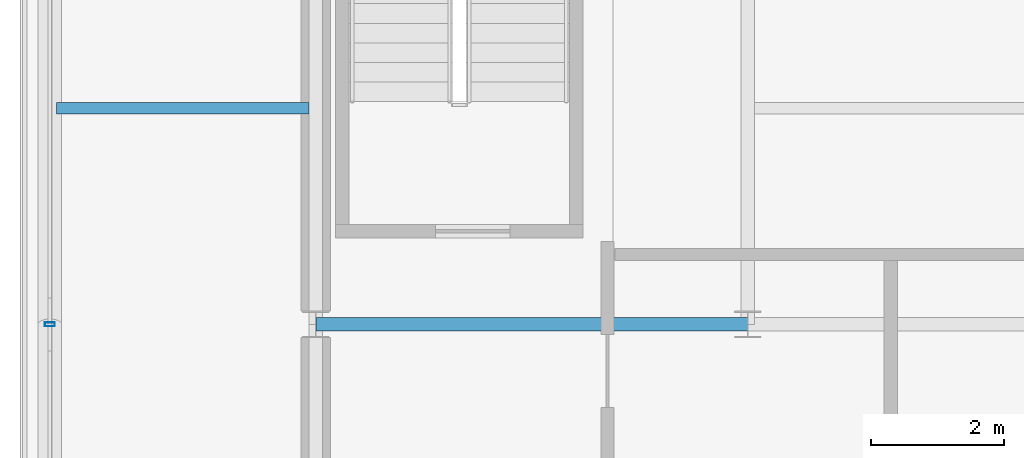
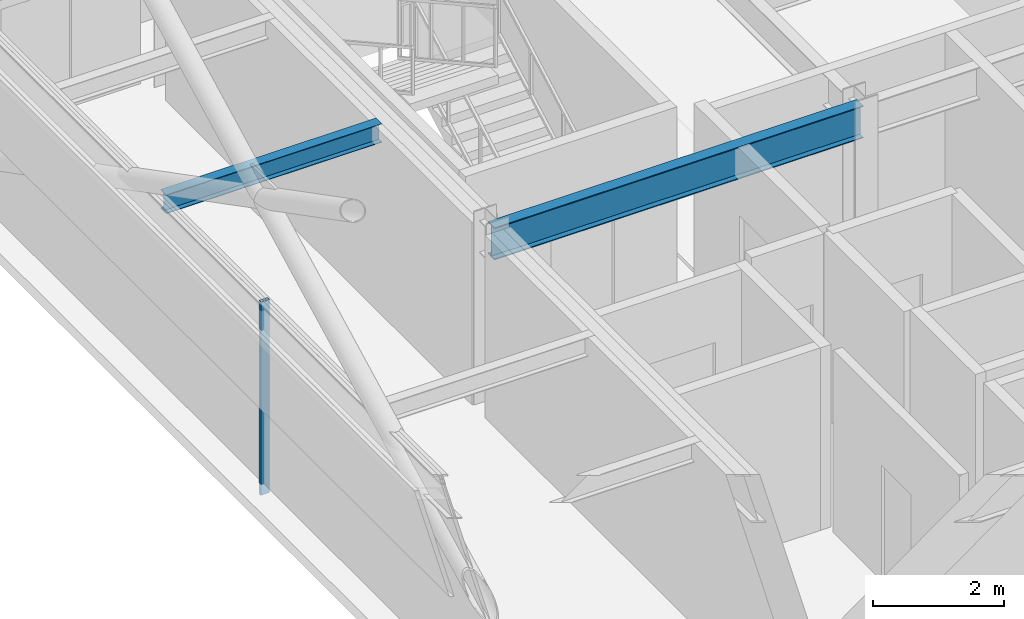
# One storey, part 11 of 30: 2 beams, 1 member, 1 element without a shape of its own.
"""IFC4 building model written with IfcOpenShell, lengths in metres."""

from ifc_helpers import new_model, si_unit, direction, frame, origin, origin_2d, place, context, subcontext, project, spatial, hollow_rectangle, i_section, extrude, material, layer, layer_set, material_profile, profile_set, type_object, element, aggregate, save


model = new_model("IFC4")

# Units and contexts
model_context = context("Model", 3, precision=1e-05, world=origin(), true_north=direction((0.0, 1.0)))
body_context = subcontext(model_context, "Body", "Model", "MODEL_VIEW")
ifc_project = project(units=[si_unit("LENGTHUNIT", "METRE"), si_unit("AREAUNIT", "SQUARE_METRE"), si_unit("VOLUMEUNIT", "CUBIC_METRE"), si_unit("PLANEANGLEUNIT", "RADIAN"), si_unit("MASSUNIT", "GRAM", prefix="KILO")], contexts=[model_context])

# Site, building, storey
site_placement = place(None, origin())
site = spatial("IfcSite", under=ifc_project, at=site_placement, CompositionType="ELEMENT")
building_placement = place(site_placement, origin())
building = spatial("IfcBuilding", under=site, at=building_placement, Name="Brelmoor Portico Tower", CompositionType="ELEMENT")
storey_placement = place(building_placement, frame((0.0, 0.0, 236.39990234375)))
storey = spatial("IfcBuildingStorey", under=building, at=storey_placement, Name="L62", CompositionType="ELEMENT", Elevation=236.39990234375)

# Beams
ifc_material_1 = material(Name="Steel Q355B", Category="steel")
ifc_material_profile_1 = material_profile(ifc_material_1, i_section(OverallWidth=0.175048828125, OverallDepth=0.35009765625, WebThickness=0.007080078125, FlangeThickness=0.010986328125, at=origin_2d()), Name="HN 350x175x7x11")
ifc_profile_set_1 = profile_set([ifc_material_profile_1], Name="Steel Q355B")
beam_type_1 = type_object("IfcBeamType", Name="BM-JS-350", PredefinedType="JOIST", material=ifc_profile_set_1)
beam_1_placement = place(storey_placement, frame((-18.449951171875, 3.25, 3.22509765625), z_axis=(1.0, 0.0, 0.0), x_axis=(0.0, 1.0, 0.0)))
element("IfcBeam", 1, at=beam_1_placement, inside=storey, type_object=beam_type_1, Name="L62 Secondary Wing Joist JS-W09", PredefinedType="JOIST", context=body_context, shape_type="SweptSolid", body=[
    extrude(i_section(OverallWidth=0.175048828125, OverallDepth=0.35009765625, WebThickness=0.007080078125, FlangeThickness=0.010986328125, at=origin_2d()), origin(), (0.0, 0.0, 1.0), 3.800048828125),
])
ifc_material_profile_2 = material_profile(ifc_material_1, i_section(OverallWidth=0.199951171875, OverallDepth=0.60009765625, WebThickness=0.010986328125, FlangeThickness=0.01708984375, at=origin_2d()), Name="HN 600x200x11x17")
ifc_profile_set_2 = profile_set([ifc_material_profile_2], Name="Steel Q355B")
beam_type_2 = type_object("IfcBeamType", Name="BM-PG-600", PredefinedType="BEAM", material=ifc_profile_set_2)
beam_2_placement = place(storey_placement, frame((-14.550048828125, 0.0, 3.10009765625), z_axis=(1.0, 0.0, 0.0), x_axis=(0.0, 1.0, 0.0)))
element("IfcBeam", 2, at=beam_2_placement, inside=storey, type_object=beam_type_2, Name="L62 Primary Floor Girder PG-16", PredefinedType="BEAM", context=body_context, shape_type="SweptSolid", body=[
    extrude(i_section(OverallWidth=0.199951171875, OverallDepth=0.60009765625, WebThickness=0.010986328125, FlangeThickness=0.01708984375, at=origin_2d()), origin(), (0.0, 0.0, 1.0), 6.5),
])

# Curtain wall, member
ifc_material_2 = material(Name="Anodised Aluminium Alloy 6063-T6", Category="aluminium")
ifc_layer = layer(ifc_material_2, 0.179931640625)
ifc_layer_set = layer_set([ifc_layer], Name="Anodised Aluminium Alloy 6063-T6")
curtain_wall_type = type_object("IfcCurtainWallType", Name="CW-TOWER-Z4-XB", PredefinedType="NOTDEFINED", material=ifc_layer_set)
curtain_wall_placement = place(storey_placement, origin())
curtain_wall = element("IfcCurtainWall", 3, at=curtain_wall_placement, inside=storey, type_object=curtain_wall_type, Name="L62 Curtain Wall CW-L62-03-2", PredefinedType="NOTDEFINED")
ifc_material_profile_3 = material_profile(ifc_material_2, hollow_rectangle(XDim=0.06005859375, YDim=0.14990234375, WallThickness=0.00390625, at=origin_2d()), Name="ALU MULLION 60x150")
ifc_profile_set_3 = profile_set([ifc_material_profile_3], Name="Anodised Aluminium Alloy 6063-T6")
member_type = type_object("IfcMemberType", Name="MB-CW-MULL-150", PredefinedType="MULLION", material=ifc_profile_set_3)
member_placement = place(storey_placement, frame((-18.550048828125, 0.0, -0.199951171875), z_axis=(0.0, 0.0, 1.0), x_axis=(0.0, 1.0, 0.0)))
member = element("IfcMember", 4, at=member_placement, type_object=member_type, Name="CW-L62-03-2 Mullion 01", PredefinedType="MULLION", context=body_context, shape_type="SweptSolid", body=[
    extrude(hollow_rectangle(XDim=0.06005859375, YDim=0.14990234375, WallThickness=0.00390625, at=origin_2d()), origin(), (0.0, 0.0, 1.0), 3.60009765625),
])
aggregate(curtain_wall, [member])

save(model, "model.ifc")
